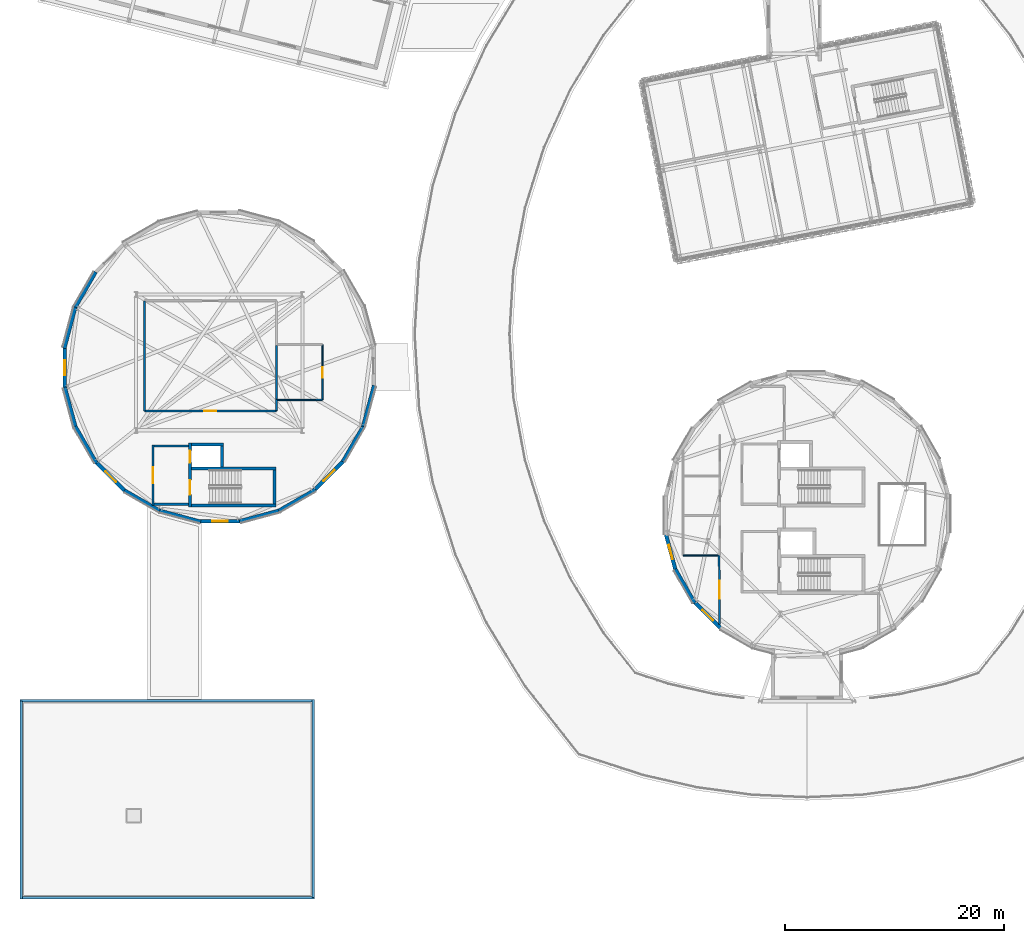
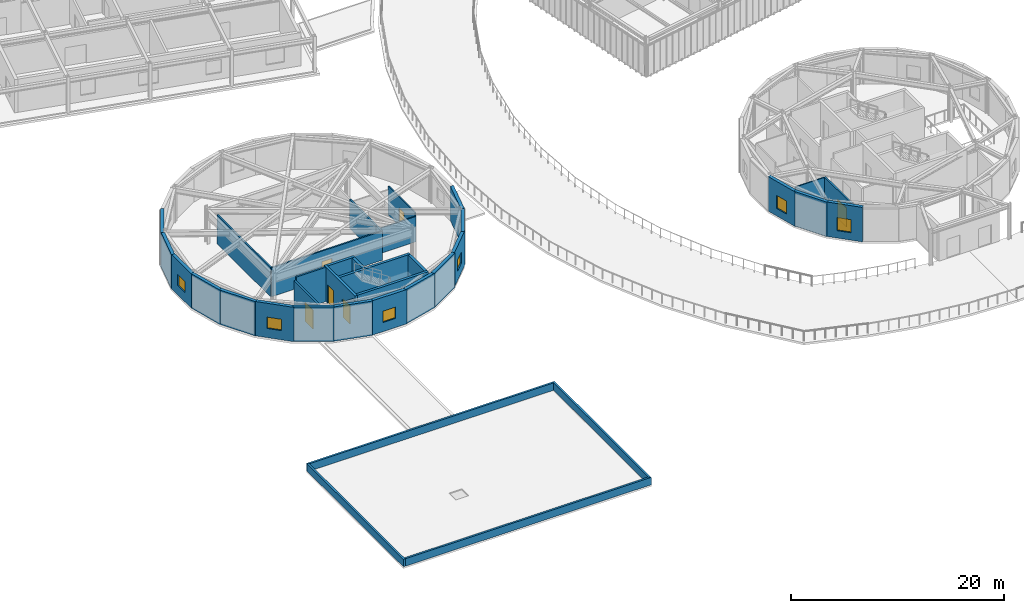
# One storey, part 31 of 59: 38 walls, 6 doors, 6 windows, 12 openings.
"""IFC4 building model written with IfcOpenShell, lengths in metres."""

from ifc_helpers import new_model, si_unit, direction, frame, frame_2d, origin, place, context, subcontext, project, spatial, rectangle, extrude, material, layer, layer_set, type_object, element, fill, save


model = new_model("IFC4")

# Units and contexts
model_context = context("Model", 3, precision=1e-05, world=origin(), true_north=direction((0.0, 1.0)))
body_context = subcontext(model_context, "Body", "Model", "MODEL_VIEW")
ifc_project = project(units=[si_unit("LENGTHUNIT", "METRE"), si_unit("AREAUNIT", "SQUARE_METRE"), si_unit("VOLUMEUNIT", "CUBIC_METRE"), si_unit("PLANEANGLEUNIT", "RADIAN"), si_unit("MASSUNIT", "GRAM", prefix="KILO")], contexts=[model_context])

# Site, building, storey
site_placement = place(None, origin())
site = spatial("IfcSite", under=ifc_project, at=site_placement, CompositionType="ELEMENT")
building_placement = place(site_placement, origin())
building = spatial("IfcBuilding", under=site, at=building_placement, Name="Varnklinge Art Gallery", CompositionType="ELEMENT")
storey_placement = place(building_placement, frame((0.0, 0.0, 9.52001953125)))
storey = spatial("IfcBuildingStorey", under=building, at=storey_placement, Name="L02", CompositionType="ELEMENT", Elevation=9.52001953125)

# Walls
ifc_material_1 = material(Name="Precast concrete C40/50", Category="concrete")
ifc_layer_1 = layer(ifc_material_1, 0.340087890625)
ifc_layer_set_1 = layer_set([ifc_layer_1], Name="Precast concrete C40/50")
wall_type_1 = type_object("IfcWallType", Name="EW-34", PredefinedType="SOLIDWALL", material=ifc_layer_set_1)
for number, where, z_axis, x_axis, name in (
    (1, (35.95068359375, 50.306884765625, 0.0), (0.0, 0.0, 1.0), (-0.258769597186, -0.965939074462, 0.0), "L02 Exterior Wall EW-V3-L02-02"),
    (2, (35.030517578125, 46.7021484375, 0.0), (0.0, 0.0, 1.0), (-0.499985417113, -0.866033823055, 0.0), "L02 Exterior Wall EW-V3-L02-03"),
):
    element("IfcWall", number, at=place(storey_placement, frame(where, z_axis=z_axis, x_axis=x_axis)), inside=storey, type_object=wall_type_1, Name=name, PredefinedType="SOLIDWALL", context=body_context, shape_type="SweptSolid", body=[
        extrude(rectangle(XDim=3.88427734375, YDim=0.340087890625, at=frame_2d((1.942138671875, 0.0))), origin(), (0.0, 0.0, 1.0), 3.93994140625),
    ])

# Wall, opening, window
wall_1_placement = place(storey_placement, frame((33.20849609375, 43.45849609375, 0.0), z_axis=(0.0, 0.0, 1.0), x_axis=(-0.707075354917, -0.70713820606, 0.0)))
wall_1 = element("IfcWall", 3, at=wall_1_placement, inside=storey, type_object=wall_type_1, Name="L02 Exterior Wall EW-V3-L02-04", PredefinedType="SOLIDWALL", context=body_context, shape_type="SweptSolid", body=[
    extrude(rectangle(XDim=3.884521484375, YDim=0.340087890625, at=frame_2d((1.9423828125, 0.0))), origin(), (0.0, 0.0, 1.0), 3.93994140625),
])
opening_1_placement = place(wall_1_placement, frame((1.2421875, 0.0, 1.050048828125)))
opening_1 = element("IfcOpeningElement", 4, at=opening_1_placement, cuts=wall_1, Name="Opening WN-16", PredefinedType="OPENING", context=body_context, shape_type="SweptSolid", body=[
    extrude(rectangle(XDim=1.39990234375, YDim=1.300048828125, at=frame_2d((0.699951171875, 0.64990234375))), frame((0.0, 0.179931640625, 0.0), z_axis=(0.0, -1.0, 0.0), x_axis=(1.0, 0.0, 0.0)), (0.0, 0.0, 1.0), 0.360107421875),
])
ifc_material_2 = material(Name="Insulated Low-E Triple Glazing", Category="glass")
window_type_1 = type_object("IfcWindowType", Name="WN-16", PartitioningType="SINGLE_PANEL", PredefinedType="WINDOW", material=ifc_material_2)
window_1_placement = place(opening_1_placement, origin())
window_1 = element("IfcWindow", 5, at=window_1_placement, inside=storey, type_object=window_type_1, Name="L02 Window WIN-L02-051", OverallHeight=1.300048828125, OverallWidth=1.39990234375, PartitioningType="SINGLE_PANEL", PredefinedType="WINDOW", context=body_context, shape_type="SweptSolid", body=[
    extrude(rectangle(XDim=1.39990234375, YDim=1.300048828125, at=frame_2d((0.699951171875, 0.64990234375))), frame((0.0, 0.030029296875, 0.0), z_axis=(0.0, -1.0, 0.0), x_axis=(1.0, 0.0, 0.0)), (0.0, 0.0, 1.0), 0.06005859375),
])
fill(opening_1, window_1)

# Walls
for number, where, z_axis, x_axis, name in (
    (6, (30.60888671875, 40.796630859375, 0.0), (0.0, 0.0, 1.0), (-0.866018109759, -0.50001263341, 0.0), "L02 Exterior Wall EW-V3-L02-05"),
    (7, (27.4091796875, 38.8984375, 0.0), (0.0, 0.0, 1.0), (-0.965939074462, -0.258769597186, 0.0), "L02 Exterior Wall EW-V3-L02-06"),
):
    element("IfcWall", number, at=place(storey_placement, frame(where, z_axis=z_axis, x_axis=x_axis)), inside=storey, type_object=wall_type_1, Name=name, PredefinedType="SOLIDWALL", context=body_context, shape_type="SweptSolid", body=[
        extrude(rectangle(XDim=3.88427734375, YDim=0.340087890625, at=frame_2d((1.942138671875, 0.0))), origin(), (0.0, 0.0, 1.0), 3.93994140625),
    ])

# Wall, opening, window
wall_2_placement = place(storey_placement, frame((23.8271484375, 37.893310546875, 0.0), z_axis=(0.0, 0.0, 1.0), x_axis=(-1.0, 0.0, 0.0)))
wall_2 = element("IfcWall", 8, at=wall_2_placement, inside=storey, type_object=wall_type_1, Name="L02 Exterior Wall EW-V3-L02-07", PredefinedType="SOLIDWALL", context=body_context, shape_type="SweptSolid", body=[
    extrude(rectangle(XDim=3.88427734375, YDim=0.340087890625, at=frame_2d((1.942138671875, 0.0))), origin(), (0.0, 0.0, 1.0), 3.93994140625),
])
opening_2_placement = place(wall_2_placement, frame((1.2421875, 0.0, 1.050048828125)))
opening_2 = element("IfcOpeningElement", 9, at=opening_2_placement, cuts=wall_2, Name="Opening WN-16", PredefinedType="OPENING", context=body_context, shape_type="SweptSolid", body=[
    extrude(rectangle(XDim=1.39990234375, YDim=1.300048828125, at=frame_2d((0.699951171875, 0.64990234375))), frame((0.0, 0.179931640625, 0.0), z_axis=(0.0, -1.0, 0.0), x_axis=(1.0, 0.0, 0.0)), (0.0, 0.0, 1.0), 0.360107421875),
])
window_2_placement = place(opening_2_placement, origin())
window_2 = element("IfcWindow", 10, at=window_2_placement, inside=storey, type_object=window_type_1, Name="L02 Window WIN-L02-052", OverallHeight=1.300048828125, OverallWidth=1.39990234375, PartitioningType="SINGLE_PANEL", PredefinedType="WINDOW", context=body_context, shape_type="SweptSolid", body=[
    extrude(rectangle(XDim=1.39990234375, YDim=1.300048828125, at=frame_2d((0.699951171875, 0.64990234375))), frame((0.0, 0.030029296875, 0.0), z_axis=(0.0, -1.0, 0.0), x_axis=(1.0, 0.0, 0.0)), (0.0, 0.0, 1.0), 0.06005859375),
])
fill(opening_2, window_2)

# Walls
for number, where, z_axis, x_axis, name in (
    (11, (20.10693359375, 37.84912109375, 0.0), (0.0, 0.0, 1.0), (-0.965923362243, 0.258828240872, 0.0), "L02 Exterior Wall EW-V3-L02-08"),
    (12, (16.502197265625, 38.76953125, 0.0), (0.0, 0.0, 1.0), (-0.866033823055, 0.499985417113, 0.0), "L02 Exterior Wall EW-V3-L02-09"),
):
    element("IfcWall", number, at=place(storey_placement, frame(where, z_axis=z_axis, x_axis=x_axis)), inside=storey, type_object=wall_type_1, Name=name, PredefinedType="SOLIDWALL", context=body_context, shape_type="SweptSolid", body=[
        extrude(rectangle(XDim=3.88427734375, YDim=0.340087890625, at=frame_2d((1.942138671875, 0.0))), origin(), (0.0, 0.0, 1.0), 3.93994140625),
    ])

# Wall, opening, window
wall_3_placement = place(storey_placement, frame((13.25830078125, 40.591552734375, 0.0), z_axis=(0.0, 0.0, 1.0), x_axis=(-0.707106781187, 0.707106781187, 0.0)))
wall_3 = element("IfcWall", 13, at=wall_3_placement, inside=storey, type_object=wall_type_1, Name="L02 Exterior Wall EW-V3-L02-10", PredefinedType="SOLIDWALL", context=body_context, shape_type="SweptSolid", body=[
    extrude(rectangle(XDim=3.88427734375, YDim=0.340087890625, at=frame_2d((1.942138671875, 0.0))), origin(), (0.0, 0.0, 1.0), 3.93994140625),
])
opening_3_placement = place(wall_3_placement, frame((1.2421875, 0.0, 1.050048828125)))
opening_3 = element("IfcOpeningElement", 14, at=opening_3_placement, cuts=wall_3, Name="Opening WN-16", PredefinedType="OPENING", context=body_context, shape_type="SweptSolid", body=[
    extrude(rectangle(XDim=1.39990234375, YDim=1.300048828125, at=frame_2d((0.699951171875, 0.64990234375))), frame((0.0, 0.179931640625, 0.0), z_axis=(0.0, -1.0, 0.0), x_axis=(1.0, 0.0, 0.0)), (0.0, 0.0, 1.0), 0.360107421875),
])
window_3_placement = place(opening_3_placement, origin())
window_3 = element("IfcWindow", 15, at=window_3_placement, inside=storey, type_object=window_type_1, Name="L02 Window WIN-L02-053", OverallHeight=1.300048828125, OverallWidth=1.39990234375, PartitioningType="SINGLE_PANEL", PredefinedType="WINDOW", context=body_context, shape_type="SweptSolid", body=[
    extrude(rectangle(XDim=1.39990234375, YDim=1.300048828125, at=frame_2d((0.699951171875, 0.64990234375))), frame((0.0, 0.030029296875, 0.0), z_axis=(0.0, -1.0, 0.0), x_axis=(1.0, 0.0, 0.0)), (0.0, 0.0, 1.0), 0.06005859375),
])
fill(opening_3, window_3)

# Walls
for number, where, z_axis, x_axis, name in (
    (16, (10.5966796875, 43.19091796875, 0.0), (0.0, 0.0, 1.0), (-0.499985417113, 0.866033823055, 0.0), "L02 Exterior Wall EW-V3-L02-11"),
    (17, (8.698486328125, 46.390869140625, 0.0), (0.0, 0.0, 1.0), (-0.258828240872, 0.965923362243, 0.0), "L02 Exterior Wall EW-V3-L02-12"),
):
    element("IfcWall", number, at=place(storey_placement, frame(where, z_axis=z_axis, x_axis=x_axis)), inside=storey, type_object=wall_type_1, Name=name, PredefinedType="SOLIDWALL", context=body_context, shape_type="SweptSolid", body=[
        extrude(rectangle(XDim=3.88427734375, YDim=0.340087890625, at=frame_2d((1.942138671875, 0.0))), origin(), (0.0, 0.0, 1.0), 3.93994140625),
    ])

# Wall, opening, window
wall_4_placement = place(storey_placement, frame((7.693115234375, 49.972900390625, 0.0), z_axis=(0.0, 0.0, 1.0), x_axis=(0.0, 1.0, 0.0)))
wall_4 = element("IfcWall", 18, at=wall_4_placement, inside=storey, type_object=wall_type_1, Name="L02 Exterior Wall EW-V3-L02-13", PredefinedType="SOLIDWALL", context=body_context, shape_type="SweptSolid", body=[
    extrude(rectangle(XDim=3.88427734375, YDim=0.340087890625, at=frame_2d((1.942138671875, 0.0))), origin(), (0.0, 0.0, 1.0), 3.93994140625),
])
opening_4_placement = place(wall_4_placement, frame((1.2421875, 0.0, 1.050048828125)))
opening_4 = element("IfcOpeningElement", 19, at=opening_4_placement, cuts=wall_4, Name="Opening WN-16", PredefinedType="OPENING", context=body_context, shape_type="SweptSolid", body=[
    extrude(rectangle(XDim=1.39990234375, YDim=1.300048828125, at=frame_2d((0.699951171875, 0.64990234375))), frame((0.0, 0.179931640625, 0.0), z_axis=(0.0, -1.0, 0.0), x_axis=(1.0, 0.0, 0.0)), (0.0, 0.0, 1.0), 0.360107421875),
])
window_4_placement = place(opening_4_placement, origin())
window_4 = element("IfcWindow", 20, at=window_4_placement, inside=storey, type_object=window_type_1, Name="L02 Window WIN-L02-054", OverallHeight=1.300048828125, OverallWidth=1.39990234375, PartitioningType="SINGLE_PANEL", PredefinedType="WINDOW", context=body_context, shape_type="SweptSolid", body=[
    extrude(rectangle(XDim=1.39990234375, YDim=1.300048828125, at=frame_2d((0.699951171875, 0.64990234375))), frame((0.0, 0.030029296875, 0.0), z_axis=(0.0, -1.0, 0.0), x_axis=(1.0, 0.0, 0.0)), (0.0, 0.0, 1.0), 0.06005859375),
])
fill(opening_4, window_4)

# Walls
for number, where, z_axis, x_axis, name in (
    (21, (7.649169921875, 53.693115234375, 0.0), (0.0, 0.0, 1.0), (0.258828240872, 0.965923362243, 0.0), "L02 Exterior Wall EW-V3-L02-14"),
    (22, (8.569580078125, 57.2978515625, 0.0), (0.0, 0.0, 1.0), (0.499985417113, 0.866033823055, 0.0), "L02 Exterior Wall EW-V3-L02-15"),
):
    element("IfcWall", number, at=place(storey_placement, frame(where, z_axis=z_axis, x_axis=x_axis)), inside=storey, type_object=wall_type_1, Name=name, PredefinedType="SOLIDWALL", context=body_context, shape_type="SweptSolid", body=[
        extrude(rectangle(XDim=3.88427734375, YDim=0.340087890625, at=frame_2d((1.942138671875, 0.0))), origin(), (0.0, 0.0, 1.0), 3.93994140625),
    ])

# Wall, opening, window
wall_5_placement = place(storey_placement, frame((67.68896484375, 28.04345703125, 0.0), z_axis=(0.0, 0.0, 1.0), x_axis=(-0.707106781187, 0.707106781187, 0.0)))
wall_5 = element("IfcWall", 23, at=wall_5_placement, inside=storey, type_object=wall_type_1, Name="L02 Exterior Wall EW-V4D-L02-09", PredefinedType="SOLIDWALL", context=body_context, shape_type="SweptSolid", body=[
    extrude(rectangle(XDim=3.571044921875, YDim=0.340087890625, at=frame_2d((1.78564453125, 0.0))), origin(), (0.0, 0.0, 1.0), 3.9599609375),
])
opening_5_placement = place(wall_5_placement, frame((1.110595703125, 0.0, 0.85009765625)))
opening_5 = element("IfcOpeningElement", 24, at=opening_5_placement, cuts=wall_5, Name="Opening WN-02", PredefinedType="OPENING", context=body_context, shape_type="SweptSolid", body=[
    extrude(rectangle(XDim=1.35009765625, YDim=1.5, at=frame_2d((0.675048828125, 0.75))), frame((0.0, 0.179931640625, 0.0), z_axis=(0.0, -1.0, 0.0), x_axis=(1.0, 0.0, 0.0)), (0.0, 0.0, 1.0), 0.360107421875),
])
ifc_material_3 = material(Name="Insulated Low-E Triple Glazing", Category="glass")
window_type_2 = type_object("IfcWindowType", Name="WN-02", PartitioningType="SINGLE_PANEL", PredefinedType="WINDOW", material=ifc_material_3)
window_5_placement = place(opening_5_placement, origin())
window_5 = element("IfcWindow", 25, at=window_5_placement, inside=storey, type_object=window_type_2, Name="L02 Window WIN-L02-088", OverallHeight=1.5, OverallWidth=1.35009765625, PartitioningType="SINGLE_PANEL", PredefinedType="WINDOW", context=body_context, shape_type="SweptSolid", body=[
    extrude(rectangle(XDim=1.35009765625, YDim=1.5, at=frame_2d((0.675048828125, 0.75))), frame((0.0, 0.030029296875, 0.0), z_axis=(0.0, -1.0, 0.0), x_axis=(1.0, 0.0, 0.0)), (0.0, 0.0, 1.0), 0.06005859375),
])
fill(opening_5, window_5)

# Wall
wall_6_placement = place(storey_placement, frame((65.248779296875, 30.42138671875, 0.0), z_axis=(0.0, 0.0, 1.0), x_axis=(-0.500006500783, 0.866021650523, 0.0)))
element("IfcWall", 26, at=wall_6_placement, inside=storey, type_object=wall_type_1, Name="L02 Exterior Wall EW-V4D-L02-10", PredefinedType="SOLIDWALL", context=body_context, shape_type="SweptSolid", body=[
    extrude(rectangle(XDim=3.5712890625, YDim=0.340087890625, at=frame_2d((1.78564453125, 0.0))), origin(), (0.0, 0.0, 1.0), 3.9599609375),
])

# Wall, opening, window
wall_7_placement = place(storey_placement, frame((63.507080078125, 33.35009765625, 0.0), z_axis=(0.0, 0.0, 1.0), x_axis=(-0.258764562387, 0.965940423242, 0.0)))
wall_7 = element("IfcWall", 27, at=wall_7_placement, inside=storey, type_object=wall_type_1, Name="L02 Exterior Wall EW-V4D-L02-11", PredefinedType="SOLIDWALL", context=body_context, shape_type="SweptSolid", body=[
    extrude(rectangle(XDim=3.571044921875, YDim=0.340087890625, at=frame_2d((1.78564453125, 0.0))), origin(), (0.0, 0.0, 1.0), 3.9599609375),
])
opening_6_placement = place(wall_7_placement, frame((1.110595703125, 0.0, 0.85009765625)))
opening_6 = element("IfcOpeningElement", 28, at=opening_6_placement, cuts=wall_7, Name="Opening WN-02", PredefinedType="OPENING", context=body_context, shape_type="SweptSolid", body=[
    extrude(rectangle(XDim=1.35009765625, YDim=1.5, at=frame_2d((0.675048828125, 0.75))), frame((0.0, 0.179931640625, 0.0), z_axis=(0.0, -1.0, 0.0), x_axis=(1.0, 0.0, 0.0)), (0.0, 0.0, 1.0), 0.360107421875),
])
window_6_placement = place(opening_6_placement, origin())
window_6 = element("IfcWindow", 29, at=window_6_placement, inside=storey, type_object=window_type_2, Name="L02 Window WIN-L02-089", OverallHeight=1.5, OverallWidth=1.35009765625, PartitioningType="SINGLE_PANEL", PredefinedType="WINDOW", context=body_context, shape_type="SweptSolid", body=[
    extrude(rectangle(XDim=1.35009765625, YDim=1.5, at=frame_2d((0.675048828125, 0.75))), frame((0.0, 0.030029296875, 0.0), z_axis=(0.0, -1.0, 0.0), x_axis=(1.0, 0.0, 0.0)), (0.0, 0.0, 1.0), 0.06005859375),
])
fill(opening_6, window_6)

# Wall, opening, door
ifc_material_4 = material(Name="Gypsum Board Partition", Category="gypsum")
ifc_layer_2 = layer(ifc_material_4, 0.1201171875)
ifc_layer_set_2 = layer_set([ifc_layer_2], Name="Gypsum Board Partition")
wall_type_2 = type_object("IfcWallType", Name="IW-12", PredefinedType="PARTITIONING", material=ifc_layer_set_2)
wall_8_placement = place(storey_placement, frame((31.22998046875, 54.0, 0.0), z_axis=(0.0, 0.0, 1.0), x_axis=(-0.001361998931, -0.999999072479, 0.0)))
wall_8 = element("IfcWall", 30, at=wall_8_placement, inside=storey, type_object=wall_type_2, Name="L02 Partition Wall IW-L02-0284", PredefinedType="PARTITIONING", context=body_context, shape_type="SweptSolid", body=[
    extrude(rectangle(XDim=5.01904296875, YDim=0.1201171875, at=frame_2d((2.509521484375, 0.0))), origin(), (0.0, 0.0, 1.0), 3.330078125),
])
opening_7_placement = place(wall_8_placement, frame((2.029541015625, 0.0, 0.0)))
opening_7 = element("IfcOpeningElement", 31, at=opening_7_placement, cuts=wall_8, Name="Opening D-L02-229", PredefinedType="OPENING", context=body_context, shape_type="SweptSolid", body=[
    extrude(rectangle(XDim=0.9599609375, YDim=2.10009765625, at=frame_2d((0.47998046875, 1.050048828125))), frame((0.0, 0.070068359375, 0.0), z_axis=(0.0, -1.0, 0.0), x_axis=(1.0, 0.0, 0.0)), (0.0, 0.0, 1.0), 0.14013671875),
])
ifc_material_5 = material(Name="Oak Timber Leaf", Category="wood")
door_type_1 = type_object("IfcDoorType", Name="ID-02", OperationType="SINGLE_SWING_RIGHT", PredefinedType="DOOR", material=ifc_material_5)
door_1_placement = place(opening_7_placement, origin())
door_1 = element("IfcDoor", 32, at=door_1_placement, inside=storey, type_object=door_type_1, Name="L02 L02 Accessible WC West Door D-L02-229", OperationType="SINGLE_SWING_LEFT", OverallHeight=2.10009765625, OverallWidth=0.9599609375, PredefinedType="DOOR", context=body_context, shape_type="SweptSolid", body=[
    extrude(rectangle(XDim=0.9599609375, YDim=2.10009765625, at=frame_2d((0.47998046875, 1.050048828125))), frame((0.0, 0.02490234375, 0.0), z_axis=(0.0, -1.0, 0.0), x_axis=(1.0, 0.0, 0.0)), (0.0, 0.0, 1.0), 0.050048828125),
])
fill(opening_7, door_1)

# Walls
wall_9_placement = place(storey_placement, frame((31.22314453125, 48.98095703125, 0.0), z_axis=(0.0, 0.0, 1.0), x_axis=(-0.99999640666, -0.0026807958, 0.0)))
element("IfcWall", 33, at=wall_9_placement, inside=storey, type_object=wall_type_2, Name="L02 Partition Wall IW-L02-0285", PredefinedType="PARTITIONING", context=body_context, shape_type="SweptSolid", body=[
    extrude(rectangle(XDim=4.09814453125, YDim=0.1201171875, at=frame_2d((2.049072265625, 0.0))), origin(), (0.0, 0.0, 1.0), 2.919921875),
])
wall_10_placement = place(storey_placement, frame((67.365234375, 34.77001953125, 0.0), z_axis=(0.0, 0.0, 1.0), x_axis=(-1.0, 0.0, 0.0)))
element("IfcWall", 34, at=wall_10_placement, inside=storey, type_object=wall_type_2, Name="L02 Partition Wall IW-L02-0316", PredefinedType="PARTITIONING", context=body_context, shape_type="SweptSolid", body=[
    extrude(rectangle(XDim=3.165283203125, YDim=0.1201171875, at=frame_2d((1.58251953125, 0.0))), origin(), (0.0, 0.0, 1.0), 3.35009765625),
])
ifc_material_6 = material(Name="Gypsum Board Partition", Category="gypsum")
ifc_layer_3 = layer(ifc_material_6, 0.159912109375)
ifc_layer_set_3 = layer_set([ifc_layer_3], Name="Gypsum Board Partition")
wall_type_3 = type_object("IfcWallType", Name="IW-16", PredefinedType="PARTITIONING", material=ifc_layer_set_3)
wall_11_placement = place(storey_placement, frame((27.030029296875, 49.030029296875, 0.0), z_axis=(0.0, 0.0, 1.0), x_axis=(0.0, -1.0, 0.0)))
element("IfcWall", 35, at=wall_11_placement, inside=storey, type_object=wall_type_3, Name="L02 Partition Wall IW-L02-0281", PredefinedType="PARTITIONING", context=body_context, shape_type="SweptSolid", body=[
    extrude(rectangle(XDim=1.030029296875, YDim=0.159912109375, at=frame_2d((0.51513671875, 0.0))), origin(), (0.0, 0.0, 1.0), 3.330078125),
])

# Wall, opening, door
wall_12_placement = place(storey_placement, frame((27.0029296875, 47.97021484375, 0.0), z_axis=(0.0, 0.0, 1.0), x_axis=(-0.999999849677, 0.000548312334, 0.0)))
wall_12 = element("IfcWall", 36, at=wall_12_placement, inside=storey, type_object=wall_type_3, Name="L02 Partition Wall IW-L02-0282", PredefinedType="PARTITIONING", context=body_context, shape_type="SweptSolid", body=[
    extrude(rectangle(XDim=12.02197265625, YDim=0.159912109375, at=frame_2d((6.010986328125, 0.0))), origin(), (0.0, 0.0, 1.0), 3.330078125),
])
opening_8_placement = place(wall_12_placement, frame((5.470947265625, 0.0, 0.0)))
opening_8 = element("IfcOpeningElement", 37, at=opening_8_placement, cuts=wall_12, Name="Opening D-L02-228", PredefinedType="OPENING", context=body_context, shape_type="SweptSolid", body=[
    extrude(rectangle(XDim=1.080078125, YDim=2.1201171875, at=frame_2d((0.5400390625, 1.06005859375))), frame((0.0, 0.090087890625, 0.0), z_axis=(0.0, -1.0, 0.0), x_axis=(1.0, 0.0, 0.0)), (0.0, 0.0, 1.0), 0.179931640625),
])
ifc_material_7 = material(Name="Oak Timber Leaf", Category="wood")
door_type_2 = type_object("IfcDoorType", Name="ID-04", OperationType="SINGLE_SWING_RIGHT", PredefinedType="DOOR", material=ifc_material_7)
door_2_placement = place(opening_8_placement, origin())
door_2 = element("IfcDoor", 38, at=door_2_placement, inside=storey, type_object=door_type_2, Name="L02 L02 Acoustic Projection and Sound Suite Door D-L02-228", OperationType="SINGLE_SWING_RIGHT", OverallHeight=2.1201171875, OverallWidth=1.080078125, PredefinedType="DOOR", context=body_context, shape_type="SweptSolid", body=[
    extrude(rectangle(XDim=1.080078125, YDim=2.1201171875, at=frame_2d((0.5400390625, 1.06005859375))), frame((0.0, 0.02490234375, 0.0), z_axis=(0.0, -1.0, 0.0), x_axis=(1.0, 0.0, 0.0)), (0.0, 0.0, 1.0), 0.050048828125),
])
fill(opening_8, door_2)

# Walls
wall_13_placement = place(storey_placement, frame((14.98095703125, 47.976806640625, 0.0), z_axis=(0.0, 0.0, 1.0), x_axis=(-0.001096089952, 0.999999399293, 0.0)))
element("IfcWall", 39, at=wall_13_placement, inside=storey, type_object=wall_type_3, Name="L02 Partition Wall IW-L02-0283", PredefinedType="PARTITIONING", context=body_context, shape_type="SweptSolid", body=[
    extrude(rectangle(XDim=10.023193359375, YDim=0.159912109375, at=frame_2d((5.01171875, 0.0))), origin(), (0.0, 0.0, 1.0), 3.330078125),
])
wall_14_placement = place(storey_placement, frame((27.030029296875, 53.969970703125, 0.0), z_axis=(0.0, 0.0, 1.0), x_axis=(0.0, -1.0, 0.0)))
element("IfcWall", 40, at=wall_14_placement, inside=storey, type_object=wall_type_3, Name="L02 Partition Wall IW-L02-0313", PredefinedType="PARTITIONING", context=body_context, shape_type="SweptSolid", body=[
    extrude(rectangle(XDim=4.93994140625, YDim=0.159912109375, at=frame_2d((2.469970703125, 0.0))), origin(), (0.0, 0.0, 1.0), 3.330078125),
])

# Wall, opening, door
ifc_material_8 = material(Name="Gypsum Board Partition", Category="gypsum")
ifc_layer_4 = layer(ifc_material_8, 0.179931640625)
ifc_layer_set_4 = layer_set([ifc_layer_4], Name="Gypsum Board Partition")
wall_type_4 = type_object("IfcWallType", Name="IW-18", PredefinedType="PARTITIONING", material=ifc_layer_set_4)
wall_15_placement = place(storey_placement, frame((67.52099609375, 28.45751953125, 0.0), z_axis=(0.0, 0.0, 1.0), x_axis=(-0.008044699063, 0.999967640885, 0.0)))
wall_15 = element("IfcWall", 41, at=wall_15_placement, inside=storey, type_object=wall_type_4, Name="L02 Partition Wall IW-L02-0295", PredefinedType="PARTITIONING", context=body_context, shape_type="SweptSolid", body=[
    extrude(rectangle(XDim=6.3427734375, YDim=0.179931640625, at=frame_2d((3.17138671875, 0.0))), origin(), (0.0, 0.0, 1.0), 3.35009765625),
])
opening_9_placement = place(wall_15_placement, frame((2.351318359375, 0.0, 0.0)))
opening_9 = element("IfcOpeningElement", 42, at=opening_9_placement, cuts=wall_15, Name="Opening D-L02-234", PredefinedType="OPENING", context=body_context, shape_type="SweptSolid", body=[
    extrude(rectangle(XDim=1.639892578125, YDim=2.199951171875, at=frame_2d((0.81982421875, 1.10009765625))), frame((0.0, 0.099853515625, 0.0), z_axis=(0.0, -1.0, 0.0), x_axis=(1.0, 0.0, 0.0)), (0.0, 0.0, 1.0), 0.199951171875),
])
ifc_material_9 = material(Name="Oak Timber Leaf", Category="wood")
door_type_3 = type_object("IfcDoorType", Name="ID-08", OperationType="DOUBLE_DOOR_SINGLE_SWING", PredefinedType="DOOR", material=ifc_material_9)
door_3_placement = place(opening_9_placement, origin())
door_3 = element("IfcDoor", 43, at=door_3_placement, inside=storey, type_object=door_type_3, Name="L02 L02 Drum Sound and Light Gallery 2 Door D-L02-234", OperationType="DOUBLE_DOOR_SINGLE_SWING", OverallHeight=2.199951171875, OverallWidth=1.639892578125, PredefinedType="DOOR", context=body_context, shape_type="SweptSolid", body=[
    extrude(rectangle(XDim=1.639892578125, YDim=2.199951171875, at=frame_2d((0.81982421875, 1.10009765625))), frame((0.0, 0.02490234375, 0.0), z_axis=(0.0, -1.0, 0.0), x_axis=(1.0, 0.0, 0.0)), (0.0, 0.0, 1.0), 0.050048828125),
])
fill(opening_9, door_3)

# Walls
ifc_material_10 = material(Name="Concrete C40/50", Category="concrete")
ifc_layer_5 = layer(ifc_material_10, 0.199951171875)
ifc_layer_set_5 = layer_set([ifc_layer_5], Name="Concrete C40/50")
wall_type_5 = type_object("IfcWallType", Name="IW-20", PredefinedType="PARTITIONING", material=ifc_layer_set_5)
wall_16_placement = place(storey_placement, frame((15.85009765625, 39.449951171875, 0.0), z_axis=(0.0, 0.0, 1.0), x_axis=(1.0, 0.0, 0.0)))
element("IfcWall", 44, at=wall_16_placement, inside=storey, type_object=wall_type_5, Name="L02 Core C6 Lobby South Wall", PredefinedType="PARTITIONING", context=body_context, shape_type="SweptSolid", body=[
    extrude(rectangle(XDim=3.14990234375, YDim=0.199951171875, at=frame_2d((1.574951171875, 0.0))), origin(), (0.0, 0.0, 1.0), 3.47998046875),
])
wall_17_placement = place(storey_placement, frame((19.0, 44.760009765625, 0.0), z_axis=(0.0, 0.0, 1.0), x_axis=(-1.0, 0.0, 0.0)))
element("IfcWall", 45, at=wall_17_placement, inside=storey, type_object=wall_type_5, Name="L02 Core C6 Lobby North Wall", PredefinedType="PARTITIONING", context=body_context, shape_type="SweptSolid", body=[
    extrude(rectangle(XDim=3.14990234375, YDim=0.199951171875, at=frame_2d((1.574951171875, 0.0))), origin(), (0.0, 0.0, 1.0), 3.93994140625),
])

# Wall, opening, door
wall_18_placement = place(storey_placement, frame((15.75, 39.35009765625, 0.0), z_axis=(0.0, 0.0, 1.0), x_axis=(0.0, 1.0, 0.0)))
wall_18 = element("IfcWall", 46, at=wall_18_placement, inside=storey, type_object=wall_type_5, Name="L02 Core C6 Lobby Corridor Wall", PredefinedType="PARTITIONING", context=body_context, shape_type="SweptSolid", body=[
    extrude(rectangle(XDim=5.510009765625, YDim=0.199951171875, at=frame_2d((2.7548828125, 0.0))), origin(), (0.0, 0.0, 1.0), 3.47998046875),
])
opening_10_placement = place(wall_18_placement, frame((2.014892578125, 0.0, 0.0)))
opening_10 = element("IfcOpeningElement", 47, at=opening_10_placement, cuts=wall_18, Name="Opening D-L02-096", PredefinedType="OPENING", context=body_context, shape_type="SweptSolid", body=[
    extrude(rectangle(XDim=1.47998046875, YDim=2.14990234375, at=frame_2d((0.739990234375, 1.074951171875))), frame((0.0, 0.110107421875, 0.0), z_axis=(0.0, -1.0, 0.0), x_axis=(1.0, 0.0, 0.0)), (0.0, 0.0, 1.0), 0.219970703125),
])
ifc_material_11 = material(Name="Galvanised Fire-Rated Steel", Category="steel")
door_type_4 = type_object("IfcDoorType", Name="ID-LB1", OperationType="DOUBLE_DOOR_SINGLE_SWING", PredefinedType="DOOR", material=ifc_material_11)
door_4_placement = place(opening_10_placement, origin())
door_4 = element("IfcDoor", 48, at=door_4_placement, inside=storey, type_object=door_type_4, Name="L02 Core C6 Protected Lobby Door D-L02-096", OperationType="DOUBLE_DOOR_SINGLE_SWING", OverallHeight=2.14990234375, OverallWidth=1.47998046875, PredefinedType="DOOR", context=body_context, shape_type="SweptSolid", body=[
    extrude(rectangle(XDim=1.47998046875, YDim=2.14990234375, at=frame_2d((0.739990234375, 1.074951171875))), frame((0.0, 0.02490234375, 0.0), z_axis=(0.0, -1.0, 0.0), x_axis=(1.0, 0.0, 0.0)), (0.0, 0.0, 1.0), 0.050048828125),
])
fill(opening_10, door_4)

# Walls
ifc_material_12 = material(Name="Precast concrete C40/50", Category="concrete")
ifc_layer_6 = layer(ifc_material_12, 0.2099609375)
ifc_layer_set_6 = layer_set([ifc_layer_6], Name="Precast concrete C40/50")
wall_type_6 = type_object("IfcWallType", Name="PW-21", PredefinedType="PARAPET", material=ifc_layer_set_6)
wall_19_placement = place(storey_placement, frame((3.705078125, 3.39990234375, 0.0), z_axis=(0.0, 0.0, 1.0), x_axis=(0.0, 1.0, 0.0)))
element("IfcWall", 49, at=wall_19_placement, inside=storey, type_object=wall_type_6, Name="L02 Exterior Wall PAR-SLB-V6SW-L02-01", PredefinedType="PARAPET", context=body_context, shape_type="SweptSolid", body=[
    extrude(rectangle(XDim=18.09521484375, YDim=0.2099609375, at=frame_2d((9.047607421875, 0.0))), origin(), (0.0, 0.0, 1.0), 0.85009765625),
])
wall_20_placement = place(storey_placement, frame((3.60009765625, 21.4951171875, 0.0), z_axis=(0.0, 0.0, 1.0), x_axis=(1.0, 0.0, 0.0)))
element("IfcWall", 50, at=wall_20_placement, inside=storey, type_object=wall_type_6, Name="L02 Exterior Wall PAR-SLB-V6SW-L02-02", PredefinedType="PARAPET", context=body_context, shape_type="SweptSolid", body=[
    extrude(rectangle(XDim=26.794921875, YDim=0.2099609375, at=frame_2d((13.3974609375, 0.0))), origin(), (0.0, 0.0, 1.0), 0.85009765625),
])
wall_21_placement = place(storey_placement, frame((30.39501953125, 21.60009765625, 0.0), z_axis=(0.0, 0.0, 1.0), x_axis=(0.0, -1.0, 0.0)))
element("IfcWall", 51, at=wall_21_placement, inside=storey, type_object=wall_type_6, Name="L02 Exterior Wall PAR-SLB-V6SW-L02-03", PredefinedType="PARAPET", context=body_context, shape_type="SweptSolid", body=[
    extrude(rectangle(XDim=18.09521484375, YDim=0.2099609375, at=frame_2d((9.047607421875, 0.0))), origin(), (0.0, 0.0, 1.0), 0.85009765625),
])
wall_22_placement = place(storey_placement, frame((30.5, 3.5048828125, 0.0), z_axis=(0.0, 0.0, 1.0), x_axis=(-1.0, 0.0, 0.0)))
element("IfcWall", 52, at=wall_22_placement, inside=storey, type_object=wall_type_6, Name="L02 Exterior Wall PAR-SLB-V6SW-L02-04", PredefinedType="PARAPET", context=body_context, shape_type="SweptSolid", body=[
    extrude(rectangle(XDim=26.794921875, YDim=0.2099609375, at=frame_2d((13.3974609375, 0.0))), origin(), (0.0, 0.0, 1.0), 0.85009765625),
])
ifc_material_13 = material(Name="Concrete C40/50", Category="concrete")
ifc_layer_7 = layer(ifc_material_13, 0.280029296875)
ifc_layer_set_7 = layer_set([ifc_layer_7], Name="Concrete C40/50")
wall_type_7 = type_object("IfcWallType", Name="SW-28", PredefinedType="SHEAR", material=ifc_layer_set_7)
wall_23_placement = place(storey_placement, frame((19.2900390625, 39.35009765625, 0.0), z_axis=(0.0, 0.0, 1.0), x_axis=(1.0, 0.0, 0.0)))
element("IfcWall", 53, at=wall_23_placement, inside=storey, type_object=wall_type_7, Name="L02 Core C6 South Shear Wall", PredefinedType="SHEAR", context=body_context, shape_type="SweptSolid", body=[
    extrude(rectangle(XDim=7.699951171875, YDim=0.280029296875, at=frame_2d((3.85009765625, 0.0))), origin(), (0.0, 0.0, 1.0), 3.93994140625),
])
wall_24_placement = place(storey_placement, frame((26.85009765625, 39.489990234375, 0.0), z_axis=(0.0, 0.0, 1.0), x_axis=(0.0, 1.0, 0.0)))
element("IfcWall", 54, at=wall_24_placement, inside=storey, type_object=wall_type_7, Name="L02 Core C6 East Shear Wall", PredefinedType="SHEAR", context=body_context, shape_type="SweptSolid", body=[
    extrude(rectangle(XDim=3.080078125, YDim=0.280029296875, at=frame_2d((1.5400390625, 0.0))), origin(), (0.0, 0.0, 1.0), 3.93994140625),
])
wall_25_placement = place(storey_placement, frame((26.989990234375, 42.7099609375, 0.0), z_axis=(0.0, 0.0, 1.0), x_axis=(-1.0, 0.0, 0.0)))
element("IfcWall", 55, at=wall_25_placement, inside=storey, type_object=wall_type_7, Name="L02 Core C6 Dividing Shear Wall", PredefinedType="SHEAR", context=body_context, shape_type="SweptSolid", body=[
    extrude(rectangle(XDim=7.699951171875, YDim=0.280029296875, at=frame_2d((3.85009765625, 0.0))), origin(), (0.0, 0.0, 1.0), 3.93994140625),
])
wall_26_placement = place(storey_placement, frame((22.050048828125, 42.85009765625, 0.0), z_axis=(0.0, 0.0, 1.0), x_axis=(0.0, 1.0, 0.0)))
element("IfcWall", 56, at=wall_26_placement, inside=storey, type_object=wall_type_7, Name="L02 Core C6 Lift East Shear Wall", PredefinedType="SHEAR", context=body_context, shape_type="SweptSolid", body=[
    extrude(rectangle(XDim=1.919921875, YDim=0.280029296875, at=frame_2d((0.9599609375, 0.0))), origin(), (0.0, 0.0, 1.0), 3.93994140625),
])
wall_27_placement = place(storey_placement, frame((22.18994140625, 44.909912109375, 0.0), z_axis=(0.0, 0.0, 1.0), x_axis=(-1.0, 0.0, 0.0)))
element("IfcWall", 57, at=wall_27_placement, inside=storey, type_object=wall_type_7, Name="L02 Core C6 Lift North Shear Wall", PredefinedType="SHEAR", context=body_context, shape_type="SweptSolid", body=[
    extrude(rectangle(XDim=2.89990234375, YDim=0.280029296875, at=frame_2d((1.449951171875, 0.0))), origin(), (0.0, 0.0, 1.0), 3.93994140625),
])

# Wall, openings, doors
wall_28_placement = place(storey_placement, frame((19.14990234375, 45.050048828125, 0.0), z_axis=(0.0, 0.0, 1.0), x_axis=(0.0, -1.0, 0.0)))
wall_28 = element("IfcWall", 58, at=wall_28_placement, inside=storey, type_object=wall_type_7, Name="L02 Core C6 Front Shear Wall", PredefinedType="SHEAR", context=body_context, shape_type="SweptSolid", body=[
    extrude(rectangle(XDim=5.840087890625, YDim=0.280029296875, at=frame_2d((2.919921875, 0.0))), origin(), (0.0, 0.0, 1.0), 3.93994140625),
])
opening_11_placement = place(wall_28_placement, frame((0.699951171875, 0.0, 0.0)))
opening_11 = element("IfcOpeningElement", 59, at=opening_11_placement, cuts=wall_28, Name="Opening LD-L02-094", PredefinedType="OPENING", context=body_context, shape_type="SweptSolid", body=[
    extrude(rectangle(XDim=1.10009765625, YDim=2.1201171875, at=frame_2d((0.550048828125, 1.06005859375))), frame((0.0, 0.150146484375, 0.0), z_axis=(0.0, -1.0, 0.0), x_axis=(1.0, 0.0, 0.0)), (0.0, 0.0, 1.0), 0.300048828125),
])
opening_12_placement = place(wall_28_placement, frame((3.39990234375, 0.0, 0.0)))
opening_12 = element("IfcOpeningElement", 60, at=opening_12_placement, cuts=wall_28, Name="Opening D-L02-095", PredefinedType="OPENING", context=body_context, shape_type="SweptSolid", body=[
    extrude(rectangle(XDim=1.320068359375, YDim=2.1201171875, at=frame_2d((0.66015625, 1.06005859375))), frame((0.0, 0.150146484375, 0.0), z_axis=(0.0, -1.0, 0.0), x_axis=(1.0, 0.0, 0.0)), (0.0, 0.0, 1.0), 0.300048828125),
])
ifc_material_14 = material(Name="Galvanised Fire-Rated Steel", Category="steel")
door_type_5 = type_object("IfcDoorType", Name="ID-ST1", OperationType="SINGLE_SWING_LEFT", PredefinedType="DOOR", material=ifc_material_14)
door_5_placement = place(opening_12_placement, origin())
door_5 = element("IfcDoor", 61, at=door_5_placement, inside=storey, type_object=door_type_5, Name="L02 Stair ST-06 Fire Door D-L02-095", OperationType="SINGLE_SWING_RIGHT", OverallHeight=2.1201171875, OverallWidth=1.320068359375, PredefinedType="DOOR", context=body_context, shape_type="SweptSolid", body=[
    extrude(rectangle(XDim=1.320068359375, YDim=2.1201171875, at=frame_2d((0.66015625, 1.06005859375))), frame((0.0, 0.02490234375, 0.0), z_axis=(0.0, -1.0, 0.0), x_axis=(1.0, 0.0, 0.0)), (0.0, 0.0, 1.0), 0.050048828125),
])
fill(opening_12, door_5)
ifc_material_15 = material(Name="Anodised Aluminium", Category="aluminium")
door_type_6 = type_object("IfcDoorType", Name="LD-PAX", OperationType="SLIDING_TO_LEFT", PredefinedType="DOOR", material=ifc_material_15)
door_6_placement = place(opening_11_placement, origin())
door_6 = element("IfcDoor", 62, at=door_6_placement, inside=storey, type_object=door_type_6, Name="L02 LF-05 Sliding Landing Door LD-L02-094", OperationType="SLIDING_TO_LEFT", OverallHeight=2.1201171875, OverallWidth=1.10009765625, PredefinedType="DOOR", context=body_context, shape_type="SweptSolid", body=[
    extrude(rectangle(XDim=1.10009765625, YDim=2.1201171875, at=frame_2d((0.550048828125, 1.06005859375))), frame((0.0, 0.02490234375, 0.0), z_axis=(0.0, -1.0, 0.0), x_axis=(1.0, 0.0, 0.0)), (0.0, 0.0, 1.0), 0.050048828125),
])
fill(opening_11, door_6)

save(model, "model.ifc")
